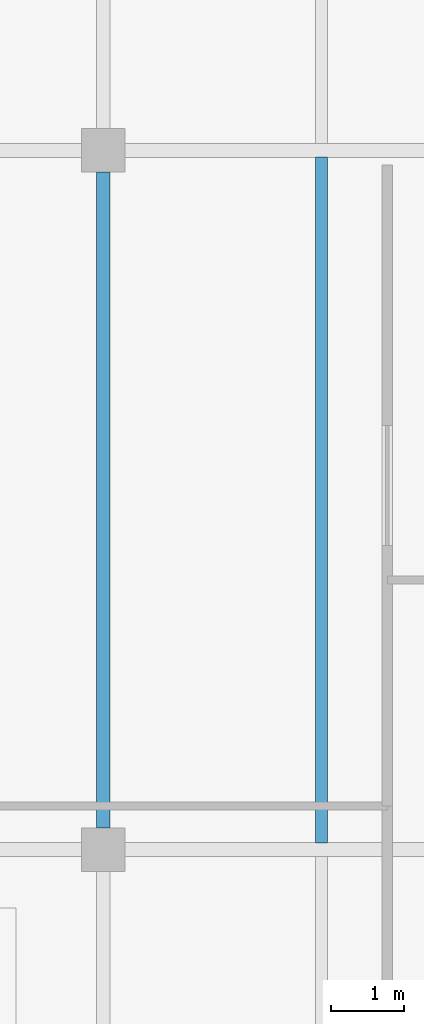
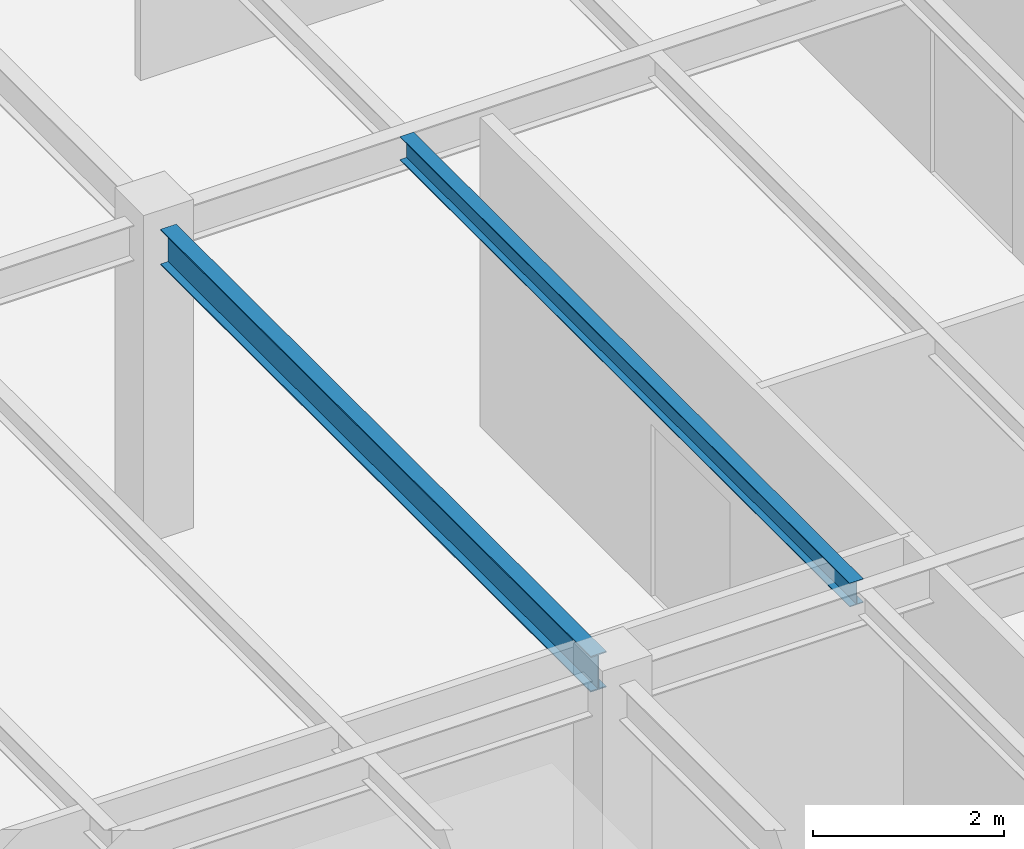
# One storey, part 7 of 37: 2 beams.
"""IFC4 building model written with IfcOpenShell, lengths in metres."""

from ifc_helpers import new_model, si_unit, direction, frame, origin, origin_2d, place, context, subcontext, project, spatial, i_section, extrude, material, material_profile, profile_set, type_object, element, save


model = new_model("IFC4")

# Units and contexts
model_context = context("Model", 3, precision=1e-05, world=origin(), true_north=direction((0.0, 1.0)))
body_context = subcontext(model_context, "Body", "Model", "MODEL_VIEW")
ifc_project = project(units=[si_unit("LENGTHUNIT", "METRE"), si_unit("AREAUNIT", "SQUARE_METRE"), si_unit("VOLUMEUNIT", "CUBIC_METRE"), si_unit("PLANEANGLEUNIT", "RADIAN"), si_unit("MASSUNIT", "GRAM", prefix="KILO")], contexts=[model_context])

# Site, building, storey
site_placement = place(None, origin())
site = spatial("IfcSite", under=ifc_project, at=site_placement, CompositionType="ELEMENT")
building_placement = place(site_placement, origin())
building = spatial("IfcBuilding", under=site, at=building_placement, Name="Pandanus Reach Market Hall", CompositionType="ELEMENT")
storey_placement = place(building_placement, frame((0.0, 0.0, 14.39990234375)))
storey = spatial("IfcBuildingStorey", under=building, at=storey_placement, Name="L03", CompositionType="ELEMENT", Elevation=14.39990234375)

# Beams
ifc_material = material(Name="Steel Grade 350 (350 MPa)", Category="steel")
ifc_material_profile_1 = material_profile(ifc_material, i_section(OverallWidth=0.18994140625, OverallDepth=0.45703125, WebThickness=0.009033203125, FlangeThickness=0.014404296875, at=origin_2d()), Name="460UB74.6", Category="LoadBearing")
ifc_profile_set_1 = profile_set([ifc_material_profile_1], Name="Steel Grade 350 (350 MPa)")
beam_type_1 = type_object("IfcBeamType", Name="BM-UB460-I", PredefinedType="BEAM", material=ifc_profile_set_1)
beam_1_placement = place(storey_placement, frame((156.0, 38.697998046875, 3.726318359375), z_axis=(0.0, 1.0, 0.0), x_axis=(-1.0, 0.0, 0.0)))
element("IfcBeam", 1, at=beam_1_placement, inside=storey, type_object=beam_type_1, Name="Framing beam BM-UB460-I L03.560", PredefinedType="BEAM", context=body_context, shape_type="SweptSolid", body=[
    extrude(i_section(OverallWidth=0.18994140625, OverallDepth=0.45703125, WebThickness=0.009033203125, FlangeThickness=0.014404296875, at=origin_2d()), origin(), (0.0, 0.0, 1.0), 9.00390625),
])
ifc_material_profile_2 = material_profile(ifc_material, i_section(OverallWidth=0.1650390625, OverallDepth=0.303955078125, WebThickness=0.006103515625, FlangeThickness=0.01025390625, at=origin_2d()), Name="310UB40.4", Category="LoadBearing")
ifc_profile_set_2 = profile_set([ifc_material_profile_2], Name="Steel Grade 350 (350 MPa)")
beam_type_2 = type_object("IfcBeamType", Name="JS-UB310-I", PredefinedType="JOIST", material=ifc_profile_set_2)
beam_2_placement = place(storey_placement, frame((159.0, 38.492919921875, 3.8076171875), z_axis=(0.0, 1.0, 0.0), x_axis=(-1.0, 0.0, 0.0)))
element("IfcBeam", 2, at=beam_2_placement, inside=storey, type_object=beam_type_2, Name="Secondary joist JS-UB310-I L03.589", PredefinedType="JOIST", context=body_context, shape_type="SweptSolid", body=[
    extrude(i_section(OverallWidth=0.1650390625, OverallDepth=0.303955078125, WebThickness=0.006103515625, FlangeThickness=0.01025390625, at=origin_2d()), origin(), (0.0, 0.0, 1.0), 9.4140625),
])

save(model, "model.ifc")
